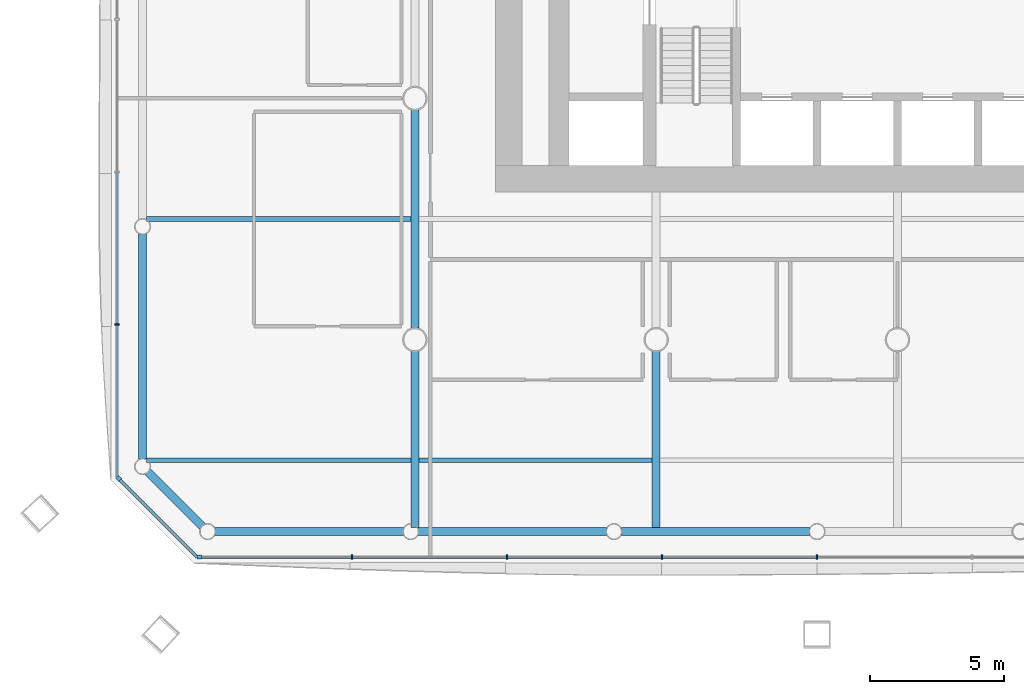
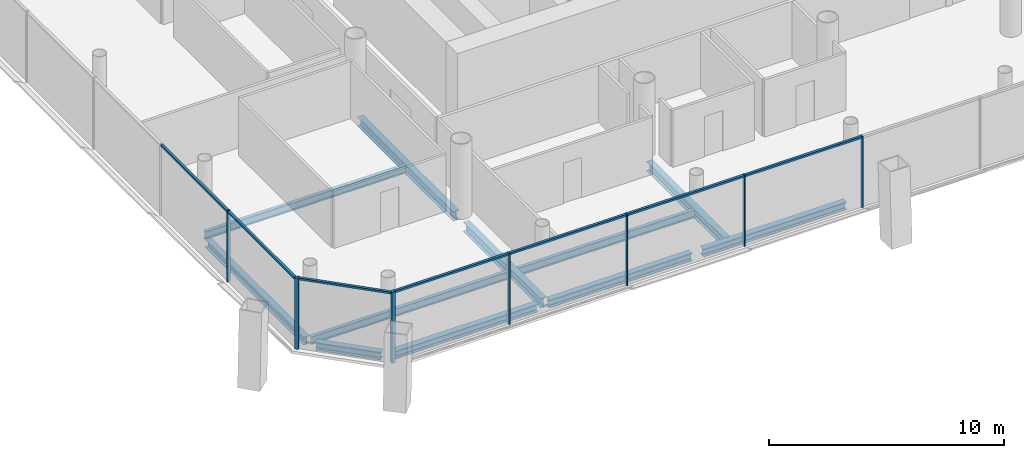
# One storey, part 2 of 20: 14 members, 11 beams, 3 elements without a shape of their own.
"""IFC4 building model written with IfcOpenShell, lengths in metres."""

from ifc_helpers import new_model, si_unit, direction, frame, origin, origin_2d, place, context, subcontext, project, spatial, rectangle, i_section, extrude, material, material_profile, profile_set, type_object, element, aggregate, save


model = new_model("IFC4")

# Units and contexts
model_context = context("Model", 3, precision=1e-05, world=origin(), true_north=direction((0.0, 1.0)))
body_context = subcontext(model_context, "Body", "Model", "MODEL_VIEW")
ifc_project = project(units=[si_unit("LENGTHUNIT", "METRE"), si_unit("AREAUNIT", "SQUARE_METRE"), si_unit("VOLUMEUNIT", "CUBIC_METRE"), si_unit("PLANEANGLEUNIT", "RADIAN"), si_unit("MASSUNIT", "GRAM", prefix="KILO")], contexts=[model_context])

# Site, building, storey
site_placement = place(None, origin())
site = spatial("IfcSite", under=ifc_project, at=site_placement, CompositionType="ELEMENT")
building_placement = place(site_placement, origin())
building = spatial("IfcBuilding", under=site, at=building_placement, Name="Tskaro Facet Tower", CompositionType="ELEMENT")
storey_placement = place(building_placement, frame((0.0, 0.0, 49.800048828125)))
storey = spatial("IfcBuildingStorey", under=building, at=storey_placement, Name="L11", CompositionType="ELEMENT", Elevation=49.800048828125)

# Curtain wall, member
ifc_material_1 = material(Name="Bronze anodised aluminium 6063-T6", Category="aluminium")
curtain_wall_type = type_object("IfcCurtainWallType", Name="Bronze office curtain wall (FW1)", PredefinedType="NOTDEFINED", material=ifc_material_1)
curtain_wall_1_placement = place(storey_placement, origin())
curtain_wall_1 = element("IfcCurtainWall", 1, at=curtain_wall_1_placement, inside=storey, type_object=curtain_wall_type, Name="FW1 south facet L11", PredefinedType="NOTDEFINED")
ifc_material_profile_1 = material_profile(ifc_material_1, rectangle(XDim=0.159912109375, YDim=0.159912109375, at=origin_2d()), Name="Corner post 160x160")
ifc_profile_set_1 = profile_set([ifc_material_profile_1], Name="Bronze anodised aluminium 6063-T6")
member_type_1 = type_object("IfcMemberType", Name="FW1 bronze corner post 160x160", PredefinedType="MULLION", material=ifc_profile_set_1)
member_1_placement = place(storey_placement, frame((-26.0419921875, -26.10693359375, 0.0), z_axis=(0.0, 0.0, 1.0), x_axis=(1.0, 0.0, 0.0)))
member_1 = element("IfcMember", 2, at=member_1_placement, type_object=member_type_1, Name="FW1 south corner post", PredefinedType="MULLION", context=body_context, shape_type="SweptSolid", body=[
    extrude(rectangle(XDim=0.159912109375, YDim=0.159912109375, at=origin_2d()), origin(), (0.0, 0.0, 1.0), 3.699951171875),
])

curtain_wall_2_placement = place(storey_placement, origin())
curtain_wall_2 = element("IfcCurtainWall", 3, at=curtain_wall_2_placement, inside=storey, type_object=curtain_wall_type, Name="FW1 south-west facet L11", PredefinedType="NOTDEFINED")
member_2_placement = place(storey_placement, frame((-29.050537109375, -23.178466796875, 0.0), z_axis=(0.0, 0.0, 1.0), x_axis=(0.707106781187, -0.707106781187, 0.0)))
member_2 = element("IfcMember", 4, at=member_2_placement, type_object=member_type_1, Name="FW1 south-west corner post", PredefinedType="MULLION", context=body_context, shape_type="SweptSolid", body=[
    extrude(rectangle(XDim=0.159912109375, YDim=0.159912109375, at=origin_2d()), origin(), (0.0, 0.0, 1.0), 3.699951171875),
])

# Member
ifc_material_profile_2 = material_profile(ifc_material_1, rectangle(XDim=0.06005859375, YDim=0.159912109375, at=origin_2d()), Name="Mullion 60x160")
ifc_profile_set_2 = profile_set([ifc_material_profile_2], Name="Bronze anodised aluminium 6063-T6")
member_type_2 = type_object("IfcMemberType", Name="FW1 bronze mullion 60x160", PredefinedType="MULLION", material=ifc_profile_set_2)
member_3_placement = place(storey_placement, frame((-20.341552734375, -26.10693359375, 0.0), z_axis=(0.0, 0.0, 1.0), x_axis=(1.0, 0.0, 0.0)))
member_3 = element("IfcMember", 5, at=member_3_placement, type_object=member_type_2, Name="FW1 south mullion 1", PredefinedType="MULLION", context=body_context, shape_type="SweptSolid", body=[
    extrude(rectangle(XDim=0.06005859375, YDim=0.159912109375, at=origin_2d()), origin(), (0.0, 0.0, 1.0), 3.699951171875),
])

member_4_placement = place(storey_placement, frame((-14.56103515625, -26.10693359375, 0.0), z_axis=(0.0, 0.0, 1.0), x_axis=(1.0, 0.0, 0.0)))
member_4 = element("IfcMember", 6, at=member_4_placement, type_object=member_type_2, Name="FW1 south mullion 2", PredefinedType="MULLION", context=body_context, shape_type="SweptSolid", body=[
    extrude(rectangle(XDim=0.06005859375, YDim=0.159912109375, at=origin_2d()), origin(), (0.0, 0.0, 1.0), 3.699951171875),
])

member_5_placement = place(storey_placement, frame((-8.780517578125, -26.10693359375, 0.0), z_axis=(0.0, 0.0, 1.0), x_axis=(1.0, 0.0, 0.0)))
member_5 = element("IfcMember", 7, at=member_5_placement, type_object=member_type_2, Name="FW1 south mullion 3", PredefinedType="MULLION", context=body_context, shape_type="SweptSolid", body=[
    extrude(rectangle(XDim=0.06005859375, YDim=0.159912109375, at=origin_2d()), origin(), (0.0, 0.0, 1.0), 3.699951171875),
])

member_6_placement = place(storey_placement, frame((-3.0, -26.10693359375, 0.0), z_axis=(0.0, 0.0, 1.0), x_axis=(1.0, 0.0, 0.0)))
member_6 = element("IfcMember", 8, at=member_6_placement, type_object=member_type_2, Name="FW1 south mullion 4", PredefinedType="MULLION", context=body_context, shape_type="SweptSolid", body=[
    extrude(rectangle(XDim=0.06005859375, YDim=0.159912109375, at=origin_2d()), origin(), (0.0, 0.0, 1.0), 3.699951171875),
])

# Curtain wall, member
curtain_wall_3_placement = place(storey_placement, origin())
curtain_wall_3 = element("IfcCurtainWall", 9, at=curtain_wall_3_placement, inside=storey, type_object=curtain_wall_type, Name="FW1 west facet L11", PredefinedType="NOTDEFINED")
member_7_placement = place(storey_placement, frame((-29.10693359375, -17.43115234375, 0.0), z_axis=(0.0, 0.0, 1.0), x_axis=(0.0, -1.0, 0.0)))
member_7 = element("IfcMember", 10, at=member_7_placement, type_object=member_type_2, Name="FW1 west mullion 7", PredefinedType="MULLION", context=body_context, shape_type="SweptSolid", body=[
    extrude(rectangle(XDim=0.06005859375, YDim=0.159912109375, at=origin_2d()), origin(), (0.0, 0.0, 1.0), 3.699951171875),
])

# Member
ifc_material_profile_3 = material_profile(ifc_material_1, rectangle(XDim=0.1201171875, YDim=0.10009765625, at=origin_2d()), Name="Transom 120x100")
ifc_profile_set_3 = profile_set([ifc_material_profile_3], Name="Bronze anodised aluminium 6063-T6")
member_type_3 = type_object("IfcMemberType", Name="FW1 bronze transom 120x100", PredefinedType="USERDEFINED", material=ifc_profile_set_3)
member_8_placement = place(storey_placement, frame((-25.9619140625, -26.10693359375, 3.64990234375), z_axis=(1.0, 0.0, 0.0), x_axis=(0.0, 1.0, 0.0)))
member_8 = element("IfcMember", 11, at=member_8_placement, type_object=member_type_3, Name="FW1 south transom 1.1", ObjectType="TRANSOM", PredefinedType="USERDEFINED", context=body_context, shape_type="SweptSolid", body=[
    extrude(rectangle(XDim=0.1201171875, YDim=0.10009765625, at=origin_2d()), origin(), (0.0, 0.0, 1.0), 5.59033203125),
])

member_9_placement = place(storey_placement, frame((-20.3115234375, -26.10693359375, 3.64990234375), z_axis=(1.0, 0.0, 0.0), x_axis=(0.0, 1.0, 0.0)))
member_9 = element("IfcMember", 12, at=member_9_placement, type_object=member_type_3, Name="FW1 south transom 2.1", ObjectType="TRANSOM", PredefinedType="USERDEFINED", context=body_context, shape_type="SweptSolid", body=[
    extrude(rectangle(XDim=0.1201171875, YDim=0.10009765625, at=origin_2d()), origin(), (0.0, 0.0, 1.0), 5.720458984375),
])

member_10_placement = place(storey_placement, frame((-14.531005859375, -26.10693359375, 3.64990234375), z_axis=(1.0, 0.0, 0.0), x_axis=(0.0, 1.0, 0.0)))
member_10 = element("IfcMember", 13, at=member_10_placement, type_object=member_type_3, Name="FW1 south transom 3.1", ObjectType="TRANSOM", PredefinedType="USERDEFINED", context=body_context, shape_type="SweptSolid", body=[
    extrude(rectangle(XDim=0.1201171875, YDim=0.10009765625, at=origin_2d()), origin(), (0.0, 0.0, 1.0), 5.720458984375),
])

member_11_placement = place(storey_placement, frame((-8.75048828125, -26.10693359375, 3.64990234375), z_axis=(1.0, 0.0, 0.0), x_axis=(0.0, 1.0, 0.0)))
member_11 = element("IfcMember", 14, at=member_11_placement, type_object=member_type_3, Name="FW1 south transom 4.1", ObjectType="TRANSOM", PredefinedType="USERDEFINED", context=body_context, shape_type="SweptSolid", body=[
    extrude(rectangle(XDim=0.1201171875, YDim=0.10009765625, at=origin_2d()), origin(), (0.0, 0.0, 1.0), 5.720458984375),
])

aggregate(curtain_wall_1, [member_1, member_3, member_4, member_5, member_6, member_8, member_9, member_10, member_11])

member_12_placement = place(storey_placement, frame((-29.10693359375, -11.770263671875, 3.64990234375), z_axis=(0.0, -1.0, 0.0), x_axis=(1.0, 0.0, 0.0)))
member_12 = element("IfcMember", 15, at=member_12_placement, type_object=member_type_3, Name="FW1 west transom 7.1", ObjectType="TRANSOM", PredefinedType="USERDEFINED", context=body_context, shape_type="SweptSolid", body=[
    extrude(rectangle(XDim=0.1201171875, YDim=0.10009765625, at=origin_2d()), origin(), (0.0, 0.0, 1.0), 5.630859375),
])

member_13_placement = place(storey_placement, frame((-29.10693359375, -17.461181640625, 3.64990234375), z_axis=(0.0, -1.0, 0.0), x_axis=(1.0, 0.0, 0.0)))
member_13 = element("IfcMember", 16, at=member_13_placement, type_object=member_type_3, Name="FW1 west transom 8.1", ObjectType="TRANSOM", PredefinedType="USERDEFINED", context=body_context, shape_type="SweptSolid", body=[
    extrude(rectangle(XDim=0.1201171875, YDim=0.10009765625, at=origin_2d()), origin(), (0.0, 0.0, 1.0), 5.660888671875),
])

aggregate(curtain_wall_3, [member_7, member_12, member_13])

member_14_placement = place(storey_placement, frame((-28.993896484375, -23.235107421875, 3.64990234375), z_axis=(0.707106781187, -0.707106781187, 0.0), x_axis=(0.707106781187, 0.707106781187, 0.0)))
member_14 = element("IfcMember", 17, at=member_14_placement, type_object=member_type_3, Name="FW1 south-west transom 1.1", ObjectType="TRANSOM", PredefinedType="USERDEFINED", context=body_context, shape_type="SweptSolid", body=[
    extrude(rectangle(XDim=0.1201171875, YDim=0.10009765625, at=origin_2d()), origin(), (0.0, 0.0, 1.0), 4.061279296875),
])

aggregate(curtain_wall_2, [member_2, member_14])

# Beams
ifc_material_2 = material(Name="Steel S355J2", Category="steel")
ifc_material_profile_4 = material_profile(ifc_material_2, i_section(OverallWidth=0.300048828125, OverallDepth=0.39990234375, WebThickness=0.013427734375, FlangeThickness=0.02392578125, FilletRadius=0.027099609375, at=origin_2d()), Name="HE 400 B")
ifc_profile_set_4 = profile_set([ifc_material_profile_4], Name="Steel S355J2")
beam_type_1 = type_object("IfcBeamType", Name="HE 400 B ring beam", PredefinedType="BEAM", material=ifc_profile_set_4)
beam_1_placement = place(storey_placement, frame((-25.4541015625, -25.156982421875, -0.340087890625), z_axis=(1.0, 0.0, 0.0), x_axis=(0.0, 1.0, 0.0)))
element("IfcBeam", 18, at=beam_1_placement, inside=storey, type_object=beam_type_1, Name="HE 400 B EB1-1", PredefinedType="BEAM", context=body_context, shape_type="SweptSolid", body=[
    extrude(i_section(OverallWidth=0.300048828125, OverallDepth=0.39990234375, WebThickness=0.013427734375, FlangeThickness=0.02392578125, FilletRadius=0.027099609375, at=origin_2d()), origin(), (0.0, 0.0, 1.0), 7.026123046875),
])
beam_2_placement = place(storey_placement, frame((-17.8779296875, -25.156982421875, -0.340087890625), z_axis=(1.0, 0.0, 0.0), x_axis=(0.0, 1.0, 0.0)))
element("IfcBeam", 19, at=beam_2_placement, inside=storey, type_object=beam_type_1, Name="HE 400 B EB2-1", PredefinedType="BEAM", context=body_context, shape_type="SweptSolid", body=[
    extrude(i_section(OverallWidth=0.300048828125, OverallDepth=0.39990234375, WebThickness=0.013427734375, FlangeThickness=0.02392578125, FilletRadius=0.027099609375, at=origin_2d()), origin(), (0.0, 0.0, 1.0), 7.02685546875),
])
beam_3_placement = place(storey_placement, frame((-10.301025390625, -25.156982421875, -0.340087890625), z_axis=(1.0, 0.0, 0.0), x_axis=(0.0, 1.0, 0.0)))
element("IfcBeam", 20, at=beam_3_placement, inside=storey, type_object=beam_type_1, Name="HE 400 B EB3-1", PredefinedType="BEAM", context=body_context, shape_type="SweptSolid", body=[
    extrude(i_section(OverallWidth=0.300048828125, OverallDepth=0.39990234375, WebThickness=0.013427734375, FlangeThickness=0.02392578125, FilletRadius=0.027099609375, at=origin_2d()), origin(), (0.0, 0.0, 1.0), 7.026123046875),
])
beam_4_placement = place(storey_placement, frame((-28.156982421875, -14.055908203125, -0.340087890625), z_axis=(0.0, -1.0, 0.0), x_axis=(1.0, 0.0, 0.0)))
element("IfcBeam", 21, at=beam_4_placement, inside=storey, type_object=beam_type_1, Name="HE 400 B EB24-1", PredefinedType="BEAM", context=body_context, shape_type="SweptSolid", body=[
    extrude(i_section(OverallWidth=0.300048828125, OverallDepth=0.39990234375, WebThickness=0.013427734375, FlangeThickness=0.02392578125, FilletRadius=0.027099609375, at=origin_2d()), origin(), (0.0, 0.0, 1.0), 8.398193359375),
])
beam_5_placement = place(storey_placement, frame((-27.962646484375, -22.92333984375, -0.340087890625), z_axis=(0.707106781187, -0.707106781187, 0.0), x_axis=(0.707106781187, 0.707106781187, 0.0)))
element("IfcBeam", 22, at=beam_5_placement, inside=storey, type_object=beam_type_1, Name="HE 400 B EB25-1", PredefinedType="BEAM", context=body_context, shape_type="SweptSolid", body=[
    extrude(i_section(OverallWidth=0.300048828125, OverallDepth=0.39990234375, WebThickness=0.013427734375, FlangeThickness=0.02392578125, FilletRadius=0.027099609375, at=origin_2d()), origin(), (0.0, 0.0, 1.0), 2.884033203125),
])
ifc_material_profile_5 = material_profile(ifc_material_2, i_section(OverallWidth=0.300048828125, OverallDepth=0.489990234375, WebThickness=0.011962890625, FlangeThickness=0.02294921875, FilletRadius=0.027099609375, at=origin_2d()), Name="HE 500 A")
ifc_profile_set_5 = profile_set([ifc_material_profile_5], Name="Steel S355J2")
beam_type_2 = type_object("IfcBeamType", Name="HE 500 A girder", PredefinedType="BEAM", material=ifc_profile_set_5)
beam_6_placement = place(storey_placement, frame((-18.0, -25.007080078125, -0.385009765625), z_axis=(0.0, 1.0, 0.0), x_axis=(-1.0, 0.0, 0.0)))
element("IfcBeam", 23, at=beam_6_placement, inside=storey, type_object=beam_type_2, Name="HE 500 A GB2-1-1", PredefinedType="BEAM", context=body_context, shape_type="SweptSolid", body=[
    extrude(i_section(OverallWidth=0.300048828125, OverallDepth=0.489990234375, WebThickness=0.011962890625, FlangeThickness=0.02294921875, FilletRadius=0.027099609375, at=origin_2d()), origin(), (0.0, 0.0, 1.0), 6.579833984375),
])
beam_7_placement = place(storey_placement, frame((-18.0, -17.57275390625, -0.385009765625), z_axis=(0.0, 1.0, 0.0), x_axis=(-1.0, 0.0, 0.0)))
element("IfcBeam", 24, at=beam_7_placement, inside=storey, type_object=beam_type_2, Name="HE 500 A GB2-2-1", PredefinedType="BEAM", context=body_context, shape_type="SweptSolid", body=[
    extrude(i_section(OverallWidth=0.300048828125, OverallDepth=0.489990234375, WebThickness=0.011962890625, FlangeThickness=0.02294921875, FilletRadius=0.027099609375, at=origin_2d()), origin(), (0.0, 0.0, 1.0), 8.1455078125),
])
beam_8_placement = place(storey_placement, frame((-9.0, -25.007080078125, -0.385009765625), z_axis=(0.0, 1.0, 0.0), x_axis=(-1.0, 0.0, 0.0)))
element("IfcBeam", 25, at=beam_8_placement, inside=storey, type_object=beam_type_2, Name="HE 500 A GB3-1-1", PredefinedType="BEAM", context=body_context, shape_type="SweptSolid", body=[
    extrude(i_section(OverallWidth=0.300048828125, OverallDepth=0.489990234375, WebThickness=0.011962890625, FlangeThickness=0.02294921875, FilletRadius=0.027099609375, at=origin_2d()), origin(), (0.0, 0.0, 1.0), 6.579833984375),
])
ifc_material_profile_6 = material_profile(ifc_material_2, i_section(OverallWidth=0.179931640625, OverallDepth=0.39990234375, WebThickness=0.008544921875, FlangeThickness=0.013427734375, FilletRadius=0.02099609375, at=origin_2d()), Name="IPE 400")
ifc_profile_set_6 = profile_set([ifc_material_profile_6], Name="Steel S355J2")
beam_type_3 = type_object("IfcBeamType", Name="IPE 400 secondary beam", PredefinedType="BEAM", material=ifc_profile_set_6)
beam_9_placement = place(storey_placement, frame((-28.007080078125, -22.5, -0.340087890625), z_axis=(1.0, 0.0, 0.0), x_axis=(0.0, 1.0, 0.0)))
element("IfcBeam", 26, at=beam_9_placement, inside=storey, type_object=beam_type_3, Name="IPE 400 SB1a-1-1", PredefinedType="BEAM", context=body_context, shape_type="SweptSolid", body=[
    extrude(i_section(OverallWidth=0.179931640625, OverallDepth=0.39990234375, WebThickness=0.008544921875, FlangeThickness=0.013427734375, FilletRadius=0.02099609375, at=origin_2d()), origin(), (0.0, 0.0, 1.0), 9.857177734375),
])
beam_10_placement = place(storey_placement, frame((-17.85009765625, -22.5, -0.340087890625), z_axis=(1.0, 0.0, 0.0), x_axis=(0.0, 1.0, 0.0)))
element("IfcBeam", 27, at=beam_10_placement, inside=storey, type_object=beam_type_3, Name="IPE 400 SB1a-2-1", PredefinedType="BEAM", context=body_context, shape_type="SweptSolid", body=[
    extrude(i_section(OverallWidth=0.179931640625, OverallDepth=0.39990234375, WebThickness=0.008544921875, FlangeThickness=0.013427734375, FilletRadius=0.02099609375, at=origin_2d()), origin(), (0.0, 0.0, 1.0), 8.7001953125),
])
beam_11_placement = place(storey_placement, frame((-28.007080078125, -13.5, -0.340087890625), z_axis=(1.0, 0.0, 0.0), x_axis=(0.0, 1.0, 0.0)))
element("IfcBeam", 28, at=beam_11_placement, inside=storey, type_object=beam_type_3, Name="IPE 400 SB2a-1-1", PredefinedType="BEAM", context=body_context, shape_type="SweptSolid", body=[
    extrude(i_section(OverallWidth=0.179931640625, OverallDepth=0.39990234375, WebThickness=0.008544921875, FlangeThickness=0.013427734375, FilletRadius=0.02099609375, at=origin_2d()), origin(), (0.0, 0.0, 1.0), 9.857177734375),
])

save(model, "model.ifc")
